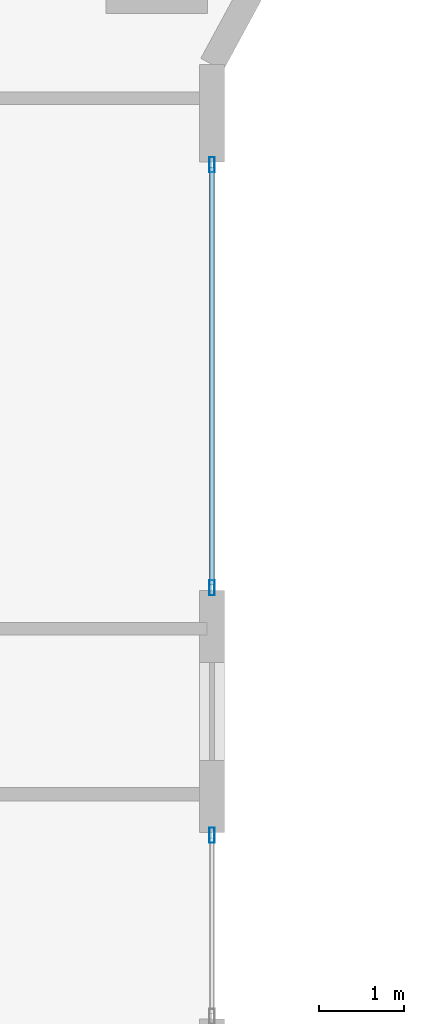
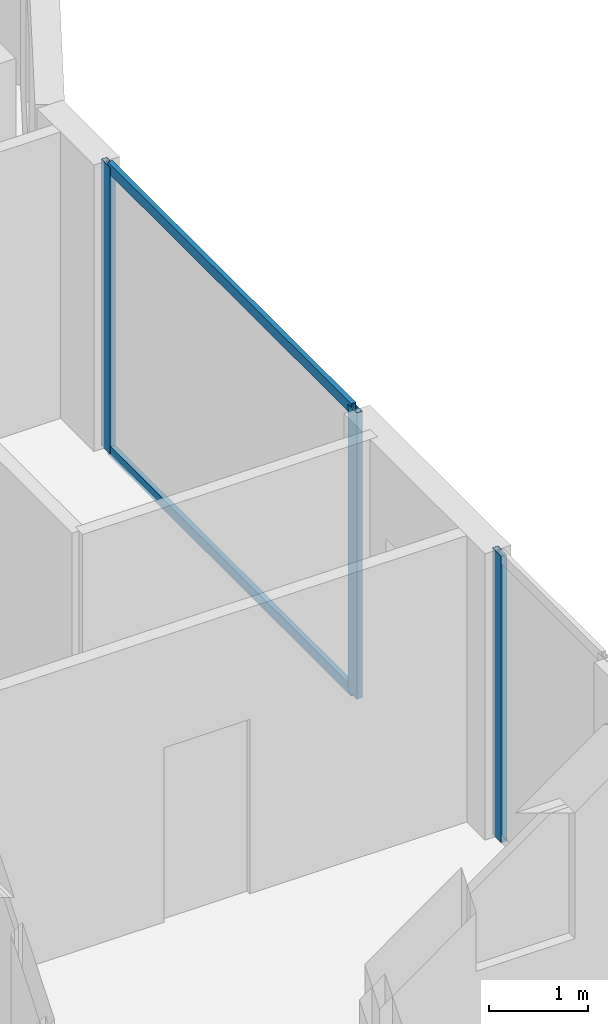
# One storey, part 12 of 32: 5 members, 2 elements without a shape of their own.
"""IFC4 building model written with IfcOpenShell, lengths in metres."""

from ifc_helpers import new_model, si_unit, direction, frame, origin, origin_2d, place, context, subcontext, project, spatial, hollow_rectangle, extrude, material, layer, layer_set, material_profile, profile_set, type_object, element, aggregate, save


model = new_model("IFC4")

# Units and contexts
model_context = context("Model", 3, precision=1e-05, world=origin(), true_north=direction((0.0, 1.0)))
body_context = subcontext(model_context, "Body", "Model", "MODEL_VIEW")
ifc_project = project(units=[si_unit("LENGTHUNIT", "METRE"), si_unit("AREAUNIT", "SQUARE_METRE"), si_unit("VOLUMEUNIT", "CUBIC_METRE"), si_unit("PLANEANGLEUNIT", "RADIAN"), si_unit("MASSUNIT", "GRAM", prefix="KILO")], contexts=[model_context])

# Site, building, storey
site_placement = place(None, origin())
site = spatial("IfcSite", under=ifc_project, at=site_placement, CompositionType="ELEMENT")
building_placement = place(site_placement, origin())
building = spatial("IfcBuilding", under=site, at=building_placement, Name="Zuhayl Quay Hotel", CompositionType="ELEMENT")
storey_placement = place(building_placement, frame((0.0, 0.0, 177.39990234375)))
storey = spatial("IfcBuildingStorey", under=building, at=storey_placement, Name="L44", CompositionType="ELEMENT", Elevation=177.39990234375)

# Curtain wall, members
ifc_material_1 = material(Name="Anodised Aluminium 6063-T6", Category="aluminium")
ifc_layer = layer(ifc_material_1, 0.175048828125, Name="Anodised Aluminium 6063-T6", Category="aluminium")
ifc_layer_set = layer_set([ifc_layer], Name="Anodised Aluminium 6063-T6")
curtain_wall_type = type_object("IfcCurtainWallType", Name="CW_SYS_Z3", PredefinedType="USERDEFINED", material=ifc_layer_set)
curtain_wall_1_placement = place(storey_placement, origin())
curtain_wall_1 = element("IfcCurtainWall", 1, at=curtain_wall_1_placement, inside=storey, type_object=curtain_wall_type, Name="L44 Curtain Wall ENV_L44_E14_CW1", ObjectType="UNITISED CURTAIN WALL", PredefinedType="USERDEFINED")
ifc_material_2 = material(Name="Black-anodised aluminium 6063-T6", Category="aluminium")
ifc_material_profile_1 = material_profile(ifc_material_2, hollow_rectangle(XDim=0.06494140625, YDim=0.179931640625, WallThickness=0.00341796875, at=origin_2d()), Name="ALU180X65")
ifc_profile_set_1 = profile_set([ifc_material_profile_1], Name="Black-anodised aluminium 6063-T6")
member_type_1 = type_object("IfcMemberType", Name="MB_CW_MUL_180", PredefinedType="MULLION", material=ifc_profile_set_1)
member_1_placement = place(storey_placement, frame((22.10009765625, 7.017578125, 0.0), z_axis=(0.0, 0.0, 1.0), x_axis=(1.0, 0.0, 0.0)))
member_1 = element("IfcMember", 2, at=member_1_placement, type_object=member_type_1, Name="CW-Z3 mullion 1", PredefinedType="MULLION", context=body_context, shape_type="SweptSolid", body=[
    extrude(hollow_rectangle(XDim=0.06494140625, YDim=0.179931640625, WallThickness=0.00341796875, at=origin_2d()), origin(), (0.0, 0.0, 1.0), 3.530029296875),
])
member_2_placement = place(storey_placement, frame((22.10009765625, 2.032470703125, 0.0), z_axis=(0.0, 0.0, 1.0), x_axis=(1.0, 0.0, 0.0)))
member_2 = element("IfcMember", 3, at=member_2_placement, type_object=member_type_1, Name="CW-Z3 mullion 2", PredefinedType="MULLION", context=body_context, shape_type="SweptSolid", body=[
    extrude(hollow_rectangle(XDim=0.06494140625, YDim=0.179931640625, WallThickness=0.00341796875, at=origin_2d()), origin(), (0.0, 0.0, 1.0), 3.530029296875),
])

# Curtain wall, member
curtain_wall_2_placement = place(storey_placement, origin())
curtain_wall_2 = element("IfcCurtainWall", 4, at=curtain_wall_2_placement, inside=storey, type_object=curtain_wall_type, Name="L44 Curtain Wall ENV_L44_E14_CW2", ObjectType="UNITISED CURTAIN WALL", PredefinedType="USERDEFINED")
member_3_placement = place(storey_placement, frame((22.10009765625, -0.882568359375, 0.0), z_axis=(0.0, 0.0, 1.0), x_axis=(1.0, 0.0, 0.0)))
member_3 = element("IfcMember", 5, at=member_3_placement, type_object=member_type_1, Name="CW-Z3 mullion 1", PredefinedType="MULLION", context=body_context, shape_type="SweptSolid", body=[
    extrude(hollow_rectangle(XDim=0.06494140625, YDim=0.179931640625, WallThickness=0.00341796875, at=origin_2d()), origin(), (0.0, 0.0, 1.0), 3.530029296875),
])
aggregate(curtain_wall_2, [member_3])

# Member
ifc_material_profile_2 = material_profile(ifc_material_2, hollow_rectangle(XDim=0.054931640625, YDim=0.1298828125, WallThickness=0.0029296875, at=origin_2d()), Name="ALU130X55")
ifc_profile_set_2 = profile_set([ifc_material_profile_2], Name="Black-anodised aluminium 6063-T6")
member_type_2 = type_object("IfcMemberType", Name="MB_CW_TRN_130", PredefinedType="USERDEFINED", material=ifc_profile_set_2)
member_4_placement = place(storey_placement, frame((22.10009765625, 6.985107421875, 0.027587890625), z_axis=(0.0, -1.0, 0.0), x_axis=(1.0, 0.0, 0.0)))
member_4 = element("IfcMember", 6, at=member_4_placement, type_object=member_type_2, Name="CW-Z3 transom 1.1", ObjectType="TRANSOM", PredefinedType="USERDEFINED", context=body_context, shape_type="SweptSolid", body=[
    extrude(hollow_rectangle(XDim=0.054931640625, YDim=0.1298828125, WallThickness=0.0029296875, at=origin_2d()), origin(), (0.0, 0.0, 1.0), 4.920166015625),
])

member_5_placement = place(storey_placement, frame((22.10009765625, 6.985107421875, 3.502685546875), z_axis=(0.0, -1.0, 0.0), x_axis=(1.0, 0.0, 0.0)))
member_5 = element("IfcMember", 7, at=member_5_placement, type_object=member_type_2, Name="CW-Z3 transom 1.2", ObjectType="TRANSOM", PredefinedType="USERDEFINED", context=body_context, shape_type="SweptSolid", body=[
    extrude(hollow_rectangle(XDim=0.054931640625, YDim=0.1298828125, WallThickness=0.0029296875, at=origin_2d()), origin(), (0.0, 0.0, 1.0), 4.920166015625),
])

aggregate(curtain_wall_1, [member_1, member_2, member_4, member_5])

save(model, "model.ifc")
